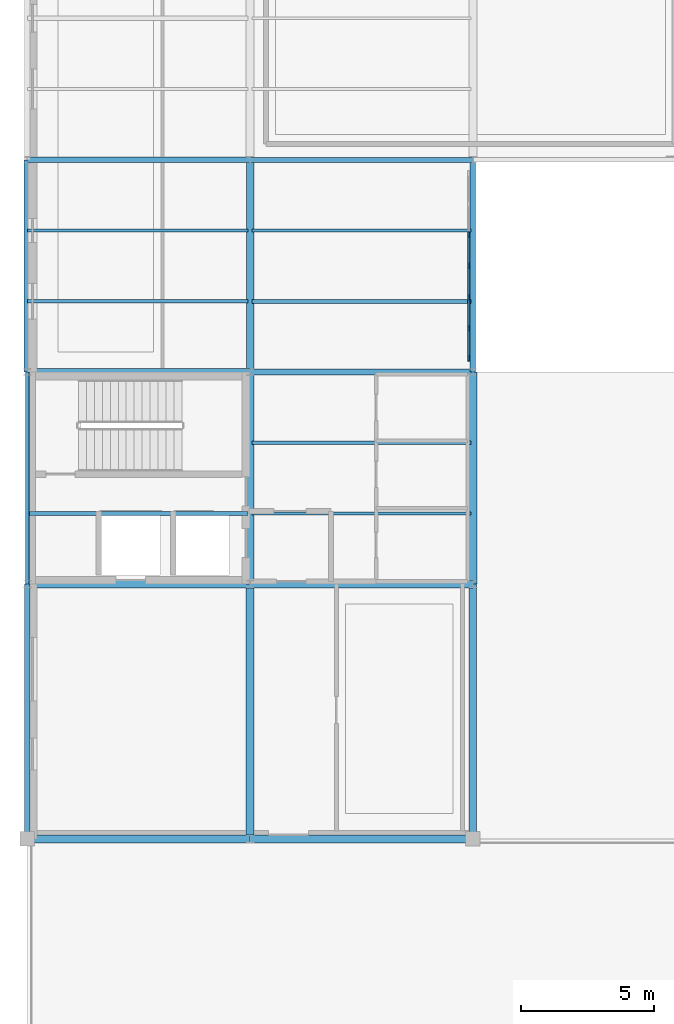
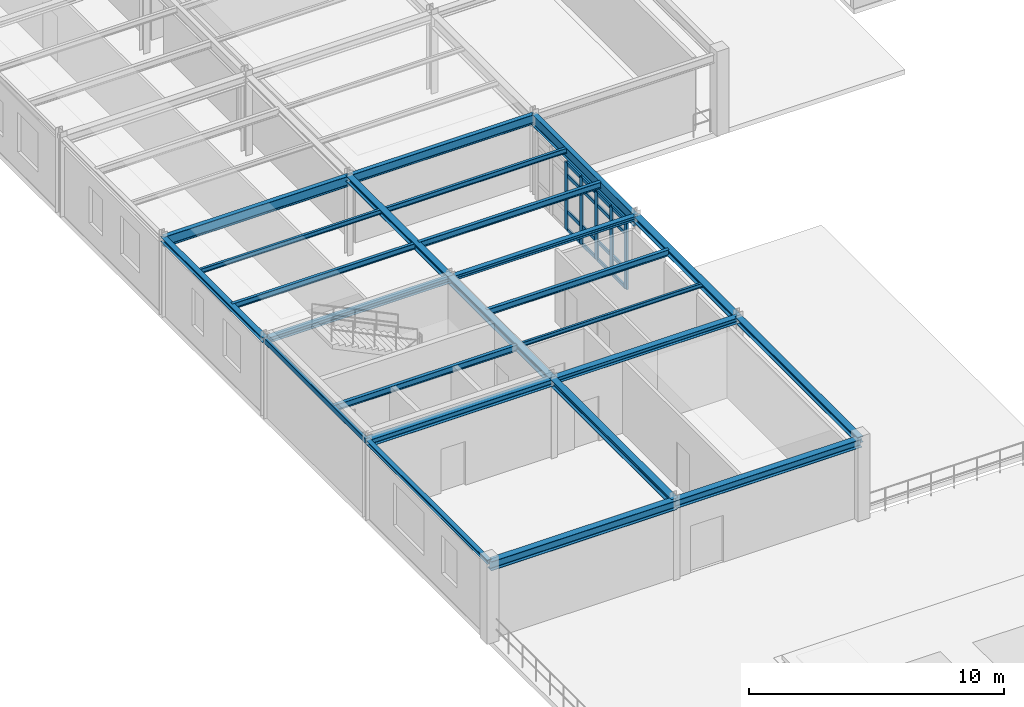
# One storey, part 18 of 70: 24 beams, 21 members, 1 element without a shape of its own.
"""IFC4 building model written with IfcOpenShell, lengths in metres."""

import ifcopenshell
import ifcopenshell.guid

model = None  # the IFC model being written
_history = None  # IfcOwnerHistory: only IFC2X3 demands one
_inside = {}  # id of a spatial element -> (the spatial element, [elements in it])
_under = {}  # id of a project, library or spatial element -> (it, [spatial elements below it])
_declared = {}  # id of a project -> (the project, [libraries it declares])
_typed = {}  # id of a type object -> (the type object, [elements of that type])
_made_of = {}  # id of a material, layer set ... -> (it, [elements and type objects made of it])


def new_model(schema):
    """Start an empty IFC model of exactly this schema.

    Asked for "IFC4X3", IfcOpenShell would pick the latest addendum, in which some entities
    have other attributes; the version numbers below select the first issue.
    IFC2X3 requires an IfcOwnerHistory on every rooted entity: one is made here for all.
    """
    global model, _history
    if schema == "IFC4X3":
        model = ifcopenshell.file(schema_version=(4, 3, 0, 0))
    else:
        model = ifcopenshell.file(schema=schema)
    _inside.clear()
    _under.clear()
    _declared.clear()
    _typed.clear()
    _made_of.clear()
    _history = None
    if model.schema == "IFC2X3":
        org = make("IfcOrganization", Name="unknown")
        user = make(
            "IfcPersonAndOrganization",
            ThePerson=make("IfcPerson", FamilyName="unknown"),
            TheOrganization=org,
        )
        app = make(
            "IfcApplication",
            ApplicationDeveloper=org,
            Version="unknown",
            ApplicationFullName="unknown",
            ApplicationIdentifier="unknown",
        )
        _history = make(
            "IfcOwnerHistory",
            OwningUser=user,
            OwningApplication=app,
            ChangeAction="ADDED",
            CreationDate=0,
        )
    return model


def make(cls, **values):
    """One entity of the class cls with the attributes given. An attribute that is None is left unset."""
    return model.create_entity(
        cls, **{name: value for name, value in values.items() if value is not None}
    )


def rooted(cls, **values):
    """An entity with a GlobalId (a new one), such as an element, a storey or a relation."""
    return make(cls, GlobalId=ifcopenshell.guid.new(), OwnerHistory=_history, **values)


def si_unit(unit_type, name, prefix=None):
    """IfcSIUnit, for example si_unit("LENGTHUNIT", "METRE", prefix="MILLI")."""
    return make("IfcSIUnit", UnitType=unit_type, Prefix=prefix, Name=name)


def derived_unit(unit_type, elements):
    """IfcDerivedUnit: a product of units, each with its exponent."""
    return make(
        "IfcDerivedUnit",
        Elements=[
            make("IfcDerivedUnitElement", Unit=unit, Exponent=power)
            for unit, power in elements
        ],
        UnitType=unit_type,
    )


def assignment(units):
    """IfcUnitAssignment: the units of a project."""
    return None if units is None else make("IfcUnitAssignment", Units=units)


def point(xyz):
    """IfcCartesianPoint."""
    return None if xyz is None else make("IfcCartesianPoint", Coordinates=xyz)


def direction(xyz):
    """IfcDirection."""
    return None if xyz is None else make("IfcDirection", DirectionRatios=xyz)


def frame(location, z_axis=None, x_axis=None):
    """IfcAxis2Placement3D, a coordinate frame: its origin and axes. An axis left out is left unset."""
    return make(
        "IfcAxis2Placement3D",
        Location=point(location),
        Axis=direction(z_axis),
        RefDirection=direction(x_axis),
    )


def frame_2d(location, x_axis=None):
    """IfcAxis2Placement2D, a coordinate frame in the plane: its origin and x axis."""
    return make(
        "IfcAxis2Placement2D", Location=point(location), RefDirection=direction(x_axis)
    )


def origin():
    """The frame at (0, 0, 0) with its axes left unset."""
    return frame((0.0, 0.0, 0.0))


def origin_2d():
    """The frame at (0, 0) in the plane with its x axis left unset."""
    return frame_2d((0.0, 0.0))


def place(relative_to, where):
    """IfcLocalPlacement: puts the frame where relative to a parent placement (None: the world)."""
    return make(
        "IfcLocalPlacement", PlacementRelTo=relative_to, RelativePlacement=where
    )


def context(
    kind, dimensions, precision=None, world=None, true_north=None, identifier=None
):
    """IfcGeometricRepresentationContext, for example the 3D "Model" context."""
    return make(
        "IfcGeometricRepresentationContext",
        ContextIdentifier=identifier,
        ContextType=kind,
        CoordinateSpaceDimension=dimensions,
        Precision=precision,
        WorldCoordinateSystem=world,
        TrueNorth=true_north,
    )


def subcontext(parent, identifier, kind, view, scale=None):
    """IfcGeometricRepresentationSubContext, for example "Body" below "Model"."""
    return make(
        "IfcGeometricRepresentationSubContext",
        ContextIdentifier=identifier,
        ContextType=kind,
        ParentContext=parent,
        TargetScale=scale,
        TargetView=view,
    )


def project(units=None, contexts=None):
    """IfcProject with its units and contexts."""
    return rooted(
        "IfcProject",
        Name="project",
        RepresentationContexts=contexts,
        UnitsInContext=assignment(units),
    )


def spatial(cls, under=None, at=None, **own):
    """A site, building, storey or space (cls), placed at a placement, below another one or the project."""
    s = rooted(cls, ObjectPlacement=at, **own)
    if under is not None:
        _under.setdefault(under.id(), (under, []))[1].append(s)
    return s


def profile(cls, at=None, kind="AREA", **sizes):
    """A parametric profile (cls). Its sizes go by their IFC names, for example OverallWidth=200.0."""
    return make(cls, ProfileType=kind, Position=at, **sizes)


def rectangle(**sizes):
    """IfcRectangleProfileDef."""
    return profile("IfcRectangleProfileDef", **sizes)


def hollow_rectangle(**sizes):
    """IfcRectangleHollowProfileDef."""
    return profile("IfcRectangleHollowProfileDef", **sizes)


def i_section(**sizes):
    """IfcIShapeProfileDef."""
    return profile("IfcIShapeProfileDef", **sizes)


def extrude(swept, where, along, depth):
    """IfcExtrudedAreaSolid: the profile swept, set in the frame where, extruded along a direction by depth."""
    return make(
        "IfcExtrudedAreaSolid",
        SweptArea=swept,
        Position=where,
        ExtrudedDirection=direction(along),
        Depth=depth,
    )


def shape(context_of_items, identifier, shape_type, items):
    """IfcShapeRepresentation: the items that make up one representation, for example the "Body"."""
    return make(
        "IfcShapeRepresentation",
        ContextOfItems=context_of_items,
        RepresentationIdentifier=identifier,
        RepresentationType=shape_type,
        Items=items,
    )


def material(Name=None, Category=None):
    """IfcMaterial."""
    return make("IfcMaterial", Name=Name, Category=Category)


def layer(
    of_material, thickness, ventilated=None, Name=None, Category=None, Priority=None
):
    """IfcMaterialLayer: one layer of a wall or slab, of a material (None: an air gap)."""
    return make(
        "IfcMaterialLayer",
        Material=of_material,
        LayerThickness=thickness,
        IsVentilated=ventilated,
        Name=Name,
        Category=Category,
        Priority=Priority,
    )


def layer_set(layers, Name=None):
    """IfcMaterialLayerSet."""
    return make("IfcMaterialLayerSet", MaterialLayers=layers, LayerSetName=Name)


def material_profile(
    of_material, cross_section, Name=None, Category=None, Priority=None
):
    """IfcMaterialProfile: a cross section and its material."""
    return make(
        "IfcMaterialProfile",
        Name=Name,
        Material=of_material,
        Profile=cross_section,
        Priority=Priority,
        Category=Category,
    )


def profile_set(profiles, Name=None, composite=None):
    """IfcMaterialProfileSet."""
    return make(
        "IfcMaterialProfileSet",
        Name=Name,
        MaterialProfiles=profiles,
        CompositeProfile=composite,
    )


def made_of(thing, what):
    """Note that an element or type object is made of a material, layer set ...; save() writes the relation."""
    if what is not None:
        _made_of.setdefault(what.id(), (what, []))[1].append(thing)
    return thing


def type_object(cls, material=None, **own):
    """A type object (cls), such as IfcWallType, which elements share."""
    return made_of(rooted(cls, **own), material)


def element(
    cls,
    number,
    at=None,
    inside=None,
    cuts=None,
    type_object=None,
    material=None,
    context=None,
    identifier="Body",
    shape_type=None,
    held_by="IfcProductDefinitionShape",
    body=None,
    shapes=None,
    **own,
):
    """One element of the class cls, such as IfcWall. Its Tag is "e" and its number.

    at: its placement. inside: the storey or other place that contains it. cuts: it is an
    opening in that element (IfcRelVoidsElement). A single representation is given by context,
    identifier, shape_type and body (its items); several are given by shapes. held_by: the class
    of the entity that holds the representations. save() writes the other relations.
    """
    e = rooted(cls, Tag="e%d" % number, ObjectPlacement=at, **own)
    if body is not None:
        shapes = [shape(context, identifier, shape_type, body)]
    if shapes is not None:
        e.Representation = make(held_by, Representations=shapes)
    if inside is not None:
        _inside.setdefault(inside.id(), (inside, []))[1].append(e)
    if cuts is not None:
        rooted(
            "IfcRelVoidsElement", RelatingBuildingElement=cuts, RelatedOpeningElement=e
        )
    if type_object is not None:
        _typed.setdefault(type_object.id(), (type_object, []))[1].append(e)
    return made_of(e, material)


def aggregate(whole, parts):
    """IfcRelAggregates: a whole, such as a stair, and the parts it consists of."""
    return rooted("IfcRelAggregates", RelatingObject=whole, RelatedObjects=parts)


def save(model, path):
    """Write the relations noted so far, then the file.

    IfcRelAggregates (storeys below a building ...), IfcRelContainedInSpatialStructure (elements
    in a storey), IfcRelDefinesByType, IfcRelAssociatesMaterial and IfcRelDeclares: one each for
    every whole, place, type object, material and project.
    """
    for whole, parts in _under.values():
        aggregate(whole, parts)
    for where, things in _inside.values():
        rooted(
            "IfcRelContainedInSpatialStructure",
            RelatedElements=things,
            RelatingStructure=where,
        )
    for kind, things in _typed.values():
        rooted("IfcRelDefinesByType", RelatedObjects=things, RelatingType=kind)
    for what, things in _made_of.values():
        rooted("IfcRelAssociatesMaterial", RelatedObjects=things, RelatingMaterial=what)
    for by, libraries in _declared.values():
        rooted("IfcRelDeclares", RelatingContext=by, RelatedDefinitions=libraries)
    model.write(path)


model = new_model("IFC4")

# Units and contexts
model_context = context("Model", 3, precision=1e-05, world=origin(), true_north=direction((0.0, 1.0)))
body_context = subcontext(model_context, "Body", "Model", "MODEL_VIEW")
ifc_project = project(units=[si_unit("LENGTHUNIT", "METRE"), si_unit("AREAUNIT", "SQUARE_METRE"), si_unit("VOLUMEUNIT", "CUBIC_METRE"), si_unit("PLANEANGLEUNIT", "RADIAN"), si_unit("MASSUNIT", "GRAM", prefix="KILO"), derived_unit("THERMALTRANSMITTANCEUNIT", [(si_unit("POWERUNIT", "WATT"), 1), (si_unit("AREAUNIT", "SQUARE_METRE"), -1), (si_unit("THERMODYNAMICTEMPERATUREUNIT", "KELVIN"), -1)])], contexts=[model_context])

# Site, building, storey
site_placement = place(None, origin())
site = spatial("IfcSite", under=ifc_project, at=site_placement, CompositionType="ELEMENT")
building_placement = place(site_placement, origin())
building = spatial("IfcBuilding", under=site, at=building_placement, Name="Yasenodar Specialist Clinic", CompositionType="ELEMENT")
storey_placement = place(building_placement, frame((0.0, 0.0, 13.199951171875)))
storey = spatial("IfcBuildingStorey", under=building, at=storey_placement, Name="L03", CompositionType="ELEMENT", Elevation=13.199951171875)

# Beams
ifc_material_1 = material(Name="Steel S355", Category="steel")
ifc_material_profile_1 = material_profile(ifc_material_1, i_section(OverallWidth=0.219970703125, OverallDepth=0.2099609375, WebThickness=0.007080078125, FlangeThickness=0.010986328125, FilletRadius=0.01806640625, at=origin_2d()), Name="HEA 220")
ifc_profile_set_1 = profile_set([ifc_material_profile_1], Name="Steel S355")
beam_type_1 = type_object("IfcBeamType", Name="BM-HEA220", PredefinedType="BEAM", material=ifc_profile_set_1)
beam_1_placement = place(storey_placement, frame((8.39990234375, 42.800048828125, 3.695068359375), z_axis=(1.0, 0.0, 0.0), x_axis=(0.0, 1.0, 0.0)))
element("IfcBeam", 1, at=beam_1_placement, inside=storey, type_object=beam_type_1, Name="L03 Primary E-W Girder", PredefinedType="BEAM", context=body_context, shape_type="SweptSolid", body=[
    extrude(i_section(OverallWidth=0.219970703125, OverallDepth=0.2099609375, WebThickness=0.007080078125, FlangeThickness=0.010986328125, FilletRadius=0.01806640625, at=origin_2d()), origin(), (0.0, 0.0, 1.0), 8.400146484375),
])
ifc_material_profile_2 = material_profile(ifc_material_1, i_section(OverallWidth=0.260009765625, OverallDepth=0.25, WebThickness=0.007568359375, FlangeThickness=0.012451171875, FilletRadius=0.02392578125, at=origin_2d()), Name="HEA 260")
ifc_profile_set_2 = profile_set([ifc_material_profile_2], Name="Steel S355")
beam_type_2 = type_object("IfcBeamType", Name="BM-HEA260", PredefinedType="BEAM", material=ifc_profile_set_2)
beam_2_placement = place(storey_placement, frame((0.0, 42.800048828125, 3.675048828125), z_axis=(1.0, 0.0, 0.0), x_axis=(0.0, 1.0, 0.0)))
element("IfcBeam", 2, at=beam_2_placement, inside=storey, type_object=beam_type_2, Name="L03 Primary E-W Girder", PredefinedType="BEAM", context=body_context, shape_type="SweptSolid", body=[
    extrude(i_section(OverallWidth=0.260009765625, OverallDepth=0.25, WebThickness=0.007568359375, FlangeThickness=0.012451171875, FilletRadius=0.02392578125, at=origin_2d()), origin(), (0.0, 0.0, 1.0), 8.39990234375),
])
ifc_material_profile_3 = material_profile(ifc_material_1, i_section(OverallWidth=0.280029296875, OverallDepth=0.27001953125, WebThickness=0.008056640625, FlangeThickness=0.012939453125, FilletRadius=0.02392578125, at=origin_2d()), Name="HEA 280")
ifc_profile_set_3 = profile_set([ifc_material_profile_3], Name="Steel S355")
beam_type_3 = type_object("IfcBeamType", Name="BM-HEA280", PredefinedType="BEAM", material=ifc_profile_set_3)
beam_3_placement = place(storey_placement, frame((8.39990234375, 34.800048828125, 3.6650390625), z_axis=(1.0, 0.0, 0.0), x_axis=(0.0, 1.0, 0.0)))
element("IfcBeam", 3, at=beam_3_placement, inside=storey, type_object=beam_type_3, Name="L03 Primary E-W Girder", PredefinedType="BEAM", context=body_context, shape_type="SweptSolid", body=[
    extrude(i_section(OverallWidth=0.280029296875, OverallDepth=0.27001953125, WebThickness=0.008056640625, FlangeThickness=0.012939453125, FilletRadius=0.02392578125, at=origin_2d()), origin(), (0.0, 0.0, 1.0), 8.400146484375),
])
ifc_material_profile_4 = material_profile(ifc_material_1, i_section(OverallWidth=0.300048828125, OverallDepth=0.2900390625, WebThickness=0.008544921875, FlangeThickness=0.013916015625, FilletRadius=0.027099609375, at=origin_2d()), Name="HEA 300")
ifc_profile_set_4 = profile_set([ifc_material_profile_4], Name="Steel S355")
beam_type_4 = type_object("IfcBeamType", Name="BM-HEA300", PredefinedType="BEAM", material=ifc_profile_set_4)
beam_4_placement = place(storey_placement, frame((16.800048828125, 34.800048828125, 3.655029296875), z_axis=(0.0, 1.0, 0.0), x_axis=(-1.0, 0.0, 0.0)))
element("IfcBeam", 4, at=beam_4_placement, inside=storey, type_object=beam_type_4, Name="L03 Primary N-S Girder", PredefinedType="BEAM", context=body_context, shape_type="SweptSolid", body=[
    extrude(i_section(OverallWidth=0.300048828125, OverallDepth=0.2900390625, WebThickness=0.008544921875, FlangeThickness=0.013916015625, FilletRadius=0.027099609375, at=origin_2d()), origin(), (0.0, 0.0, 1.0), 8.0),
])
ifc_material_profile_5 = material_profile(ifc_material_1, i_section(OverallWidth=0.300048828125, OverallDepth=0.330078125, WebThickness=0.009521484375, FlangeThickness=0.0166015625, FilletRadius=0.027099609375, at=origin_2d()), Name="HEA 340")
ifc_profile_set_5 = profile_set([ifc_material_profile_5], Name="Steel S355")
beam_type_5 = type_object("IfcBeamType", Name="BM-HEA340", PredefinedType="BEAM", material=ifc_profile_set_5)
beam_5_placement = place(storey_placement, frame((0.0, 34.800048828125, 3.635009765625), z_axis=(1.0, 0.0, 0.0), x_axis=(0.0, 1.0, 0.0)))
element("IfcBeam", 5, at=beam_5_placement, inside=storey, type_object=beam_type_5, Name="L03 Primary E-W Girder", PredefinedType="BEAM", context=body_context, shape_type="SweptSolid", body=[
    extrude(i_section(OverallWidth=0.300048828125, OverallDepth=0.330078125, WebThickness=0.009521484375, FlangeThickness=0.0166015625, FilletRadius=0.027099609375, at=origin_2d()), origin(), (0.0, 0.0, 1.0), 8.39990234375),
])
ifc_material_profile_6 = material_profile(ifc_material_1, i_section(OverallWidth=0.300048828125, OverallDepth=0.389892578125, WebThickness=0.010986328125, FlangeThickness=0.01904296875, FilletRadius=0.027099609375, at=origin_2d()), Name="HEA 400")
ifc_profile_set_6 = profile_set([ifc_material_profile_6], Name="Steel S355")
beam_type_6 = type_object("IfcBeamType", Name="BM-HEA400", PredefinedType="BEAM", material=ifc_profile_set_6)
beam_6_placement = place(storey_placement, frame((8.39990234375, 25.199951171875, 3.60498046875), z_axis=(1.0, 0.0, 0.0), x_axis=(0.0, 1.0, 0.0)))
element("IfcBeam", 6, at=beam_6_placement, inside=storey, type_object=beam_type_6, Name="L03 Primary E-W Girder", PredefinedType="BEAM", context=body_context, shape_type="SweptSolid", body=[
    extrude(i_section(OverallWidth=0.300048828125, OverallDepth=0.389892578125, WebThickness=0.010986328125, FlangeThickness=0.01904296875, FilletRadius=0.027099609375, at=origin_2d()), origin(), (0.0, 0.0, 1.0), 8.400146484375),
])
ifc_material_profile_7 = material_profile(ifc_material_1, i_section(OverallWidth=0.300048828125, OverallDepth=0.43994140625, WebThickness=0.011474609375, FlangeThickness=0.02099609375, FilletRadius=0.027099609375, at=origin_2d()), Name="HEA 450")
ifc_profile_set_7 = profile_set([ifc_material_profile_7], Name="Steel S355")
beam_type_7 = type_object("IfcBeamType", Name="BM-HEA450", PredefinedType="BEAM", material=ifc_profile_set_7)
beam_7_placement = place(storey_placement, frame((0.0, 25.199951171875, 3.580078125), z_axis=(1.0, 0.0, 0.0), x_axis=(0.0, 1.0, 0.0)))
element("IfcBeam", 7, at=beam_7_placement, inside=storey, type_object=beam_type_7, Name="L03 Primary E-W Girder", PredefinedType="BEAM", context=body_context, shape_type="SweptSolid", body=[
    extrude(i_section(OverallWidth=0.300048828125, OverallDepth=0.43994140625, WebThickness=0.011474609375, FlangeThickness=0.02099609375, FilletRadius=0.027099609375, at=origin_2d()), origin(), (0.0, 0.0, 1.0), 8.39990234375),
])
ifc_material_profile_8 = material_profile(ifc_material_1, i_section(OverallWidth=0.280029296875, OverallDepth=0.280029296875, WebThickness=0.010498046875, FlangeThickness=0.01806640625, FilletRadius=0.02392578125, at=origin_2d()), Name="HEB 280")
ifc_profile_set_8 = profile_set([ifc_material_profile_8], Name="Steel S355")
beam_type_8 = type_object("IfcBeamType", Name="BM-HEB280", PredefinedType="BEAM", material=ifc_profile_set_8)
beam_8_placement = place(storey_placement, frame((8.39990234375, 42.800048828125, 3.66015625), z_axis=(0.0, 1.0, 0.0), x_axis=(-1.0, 0.0, 0.0)))
element("IfcBeam", 8, at=beam_8_placement, inside=storey, type_object=beam_type_8, Name="L03 Primary N-S Girder", PredefinedType="BEAM", context=body_context, shape_type="SweptSolid", body=[
    extrude(i_section(OverallWidth=0.280029296875, OverallDepth=0.280029296875, WebThickness=0.010498046875, FlangeThickness=0.01806640625, FilletRadius=0.02392578125, at=origin_2d()), origin(), (0.0, 0.0, 1.0), 8.0),
])
beam_9_placement = place(storey_placement, frame((16.800048828125, 25.199951171875, 3.66015625), z_axis=(0.0, 1.0, 0.0), x_axis=(-1.0, 0.0, 0.0)))
element("IfcBeam", 9, at=beam_9_placement, inside=storey, type_object=beam_type_8, Name="L03 Primary N-S Girder", PredefinedType="BEAM", context=body_context, shape_type="SweptSolid", body=[
    extrude(i_section(OverallWidth=0.280029296875, OverallDepth=0.280029296875, WebThickness=0.010498046875, FlangeThickness=0.01806640625, FilletRadius=0.02392578125, at=origin_2d()), origin(), (0.0, 0.0, 1.0), 9.60009765625),
])
ifc_material_profile_9 = material_profile(ifc_material_1, i_section(OverallWidth=0.300048828125, OverallDepth=0.300048828125, WebThickness=0.010986328125, FlangeThickness=0.01904296875, FilletRadius=0.027099609375, at=origin_2d()), Name="HEB 300")
ifc_profile_set_9 = profile_set([ifc_material_profile_9], Name="Steel S355")
beam_type_9 = type_object("IfcBeamType", Name="BM-HEB300", PredefinedType="BEAM", material=ifc_profile_set_9)
beam_10_placement = place(storey_placement, frame((8.39990234375, 34.800048828125, 3.650146484375), z_axis=(0.0, 1.0, 0.0), x_axis=(-1.0, 0.0, 0.0)))
element("IfcBeam", 10, at=beam_10_placement, inside=storey, type_object=beam_type_9, Name="L03 Primary N-S Girder", PredefinedType="BEAM", context=body_context, shape_type="SweptSolid", body=[
    extrude(i_section(OverallWidth=0.300048828125, OverallDepth=0.300048828125, WebThickness=0.010986328125, FlangeThickness=0.01904296875, FilletRadius=0.027099609375, at=origin_2d()), origin(), (0.0, 0.0, 1.0), 8.0),
])
ifc_material_profile_10 = material_profile(ifc_material_1, i_section(OverallWidth=0.300048828125, OverallDepth=0.340087890625, WebThickness=0.011962890625, FlangeThickness=0.021484375, FilletRadius=0.027099609375, at=origin_2d()), Name="HEB 340")
ifc_profile_set_10 = profile_set([ifc_material_profile_10], Name="Steel S355")
beam_type_10 = type_object("IfcBeamType", Name="BM-HEB340", PredefinedType="BEAM", material=ifc_profile_set_10)
beam_11_placement = place(storey_placement, frame((8.39990234375, 25.199951171875, 3.630126953125), z_axis=(0.0, 1.0, 0.0), x_axis=(-1.0, 0.0, 0.0)))
element("IfcBeam", 11, at=beam_11_placement, inside=storey, type_object=beam_type_10, Name="L03 Primary N-S Girder", PredefinedType="BEAM", context=body_context, shape_type="SweptSolid", body=[
    extrude(i_section(OverallWidth=0.300048828125, OverallDepth=0.340087890625, WebThickness=0.011962890625, FlangeThickness=0.021484375, FilletRadius=0.027099609375, at=origin_2d()), origin(), (0.0, 0.0, 1.0), 9.60009765625),
])
ifc_material_profile_11 = material_profile(ifc_material_1, i_section(OverallWidth=0.18994140625, OverallDepth=0.449951171875, WebThickness=0.009521484375, FlangeThickness=0.0146484375, FilletRadius=0.02099609375, at=origin_2d()), Name="IPE 450")
ifc_profile_set_11 = profile_set([ifc_material_profile_11], Name="Steel S355")
beam_type_11 = type_object("IfcBeamType", Name="BM-IPE450", PredefinedType="BEAM", material=ifc_profile_set_11)
beam_12_placement = place(storey_placement, frame((8.39990234375, 50.800048828125, 3.574951171875), z_axis=(1.0, 0.0, 0.0), x_axis=(0.0, 1.0, 0.0)))
element("IfcBeam", 12, at=beam_12_placement, inside=storey, type_object=beam_type_11, Name="L03 Primary E-W Girder", PredefinedType="BEAM", context=body_context, shape_type="SweptSolid", body=[
    extrude(i_section(OverallWidth=0.18994140625, OverallDepth=0.449951171875, WebThickness=0.009521484375, FlangeThickness=0.0146484375, FilletRadius=0.02099609375, at=origin_2d()), origin(), (0.0, 0.0, 1.0), 8.400146484375),
])
ifc_material_profile_12 = material_profile(ifc_material_1, i_section(OverallWidth=0.199951171875, OverallDepth=0.5, WebThickness=0.01025390625, FlangeThickness=0.01611328125, FilletRadius=0.02099609375, at=origin_2d()), Name="IPE 500")
ifc_profile_set_12 = profile_set([ifc_material_profile_12], Name="Steel S355")
beam_type_12 = type_object("IfcBeamType", Name="BM-IPE500", PredefinedType="BEAM", material=ifc_profile_set_12)
beam_13_placement = place(storey_placement, frame((0.0, 50.800048828125, 3.550048828125), z_axis=(1.0, 0.0, 0.0), x_axis=(0.0, 1.0, 0.0)))
element("IfcBeam", 13, at=beam_13_placement, inside=storey, type_object=beam_type_12, Name="L03 Primary E-W Girder", PredefinedType="BEAM", context=body_context, shape_type="SweptSolid", body=[
    extrude(i_section(OverallWidth=0.199951171875, OverallDepth=0.5, WebThickness=0.01025390625, FlangeThickness=0.01611328125, FilletRadius=0.02099609375, at=origin_2d()), origin(), (0.0, 0.0, 1.0), 8.39990234375),
])
ifc_material_profile_13 = material_profile(ifc_material_1, i_section(OverallWidth=0.2099609375, OverallDepth=0.550048828125, WebThickness=0.010986328125, FlangeThickness=0.01708984375, FilletRadius=0.02392578125, at=origin_2d()), Name="IPE 550")
ifc_profile_set_13 = profile_set([ifc_material_profile_13], Name="Steel S355")
beam_type_13 = type_object("IfcBeamType", Name="BM-IPE550", PredefinedType="BEAM", material=ifc_profile_set_13)
beam_14_placement = place(storey_placement, frame((16.800048828125, 42.800048828125, 3.525146484375), z_axis=(0.0, 1.0, 0.0), x_axis=(-1.0, 0.0, 0.0)))
element("IfcBeam", 14, at=beam_14_placement, inside=storey, type_object=beam_type_13, Name="L03 Primary N-S Girder", PredefinedType="BEAM", context=body_context, shape_type="SweptSolid", body=[
    extrude(i_section(OverallWidth=0.2099609375, OverallDepth=0.550048828125, WebThickness=0.010986328125, FlangeThickness=0.01708984375, FilletRadius=0.02392578125, at=origin_2d()), origin(), (0.0, 0.0, 1.0), 8.0),
])

# Curtain wall, members
ifc_material_2 = material(Name="Bronze Anodized Aluminium and Triple Low-E Glass", Category="aluminium")
ifc_layer = layer(ifc_material_2, 0.202880859375)
ifc_layer_set = layer_set([ifc_layer], Name="Bronze Anodized Aluminium and Triple Low-E Glass")
curtain_wall_type = type_object("IfcCurtainWallType", Name="CW-SYS-04", PredefinedType="USERDEFINED", material=ifc_layer_set)
curtain_wall_placement = place(storey_placement, origin())
curtain_wall = element("IfcCurtainWall", 15, at=curtain_wall_placement, inside=storey, type_object=curtain_wall_type, Name="L03 Unitised Curtain Wall 135", ObjectType="UNITISED CURTAIN WALL", PredefinedType="USERDEFINED")
ifc_material_3 = material(Name="Bronze Anodized Aluminium", Category="aluminium")
ifc_material_profile_14 = material_profile(ifc_material_3, rectangle(XDim=0.074951171875, YDim=0.22509765625, at=origin_2d()), Name="CW-MULL 75x225")
ifc_profile_set_14 = profile_set([ifc_material_profile_14], Name="Bronze Anodized Aluminium")
member_type_1 = type_object("IfcMemberType", Name="CW-MULL-225", PredefinedType="MULLION", material=ifc_profile_set_14)
member_1_placement = place(storey_placement, frame((16.64990234375, 47.973388671875, 0.0), z_axis=(0.0, 0.0, 1.0), x_axis=(1.0, 0.0, 0.0)))
member_1 = element("IfcMember", 16, at=member_1_placement, type_object=member_type_1, Name="CW-04 mullion 3", PredefinedType="MULLION", context=body_context, shape_type="SweptSolid", body=[
    extrude(rectangle(XDim=0.074951171875, YDim=0.22509765625, at=origin_2d()), origin(), (0.0, 0.0, 1.0), 3.22802734375),
])
member_2_placement = place(storey_placement, frame((16.64990234375, 46.800048828125, 0.0), z_axis=(0.0, 0.0, 1.0), x_axis=(1.0, 0.0, 0.0)))
member_2 = element("IfcMember", 17, at=member_2_placement, type_object=member_type_1, Name="CW-04 mullion 4", PredefinedType="MULLION", context=body_context, shape_type="SweptSolid", body=[
    extrude(rectangle(XDim=0.074951171875, YDim=0.22509765625, at=origin_2d()), origin(), (0.0, 0.0, 1.0), 3.22802734375),
])
member_3_placement = place(storey_placement, frame((16.64990234375, 45.626708984375, 0.0), z_axis=(0.0, 0.0, 1.0), x_axis=(1.0, 0.0, 0.0)))
member_3 = element("IfcMember", 18, at=member_3_placement, type_object=member_type_1, Name="CW-04 mullion 5", PredefinedType="MULLION", context=body_context, shape_type="SweptSolid", body=[
    extrude(rectangle(XDim=0.074951171875, YDim=0.22509765625, at=origin_2d()), origin(), (0.0, 0.0, 1.0), 3.22802734375),
])
member_4_placement = place(storey_placement, frame((16.64990234375, 44.453369140625, 0.0), z_axis=(0.0, 0.0, 1.0), x_axis=(1.0, 0.0, 0.0)))
member_4 = element("IfcMember", 19, at=member_4_placement, type_object=member_type_1, Name="CW-04 mullion 6", PredefinedType="MULLION", context=body_context, shape_type="SweptSolid", body=[
    extrude(rectangle(XDim=0.074951171875, YDim=0.22509765625, at=origin_2d()), origin(), (0.0, 0.0, 1.0), 3.22802734375),
])
member_5_placement = place(storey_placement, frame((16.64990234375, 43.3173828125, 0.0), z_axis=(0.0, 0.0, 1.0), x_axis=(1.0, 0.0, 0.0)))
member_5 = element("IfcMember", 20, at=member_5_placement, type_object=member_type_1, Name="CW-04 mullion 7", PredefinedType="MULLION", context=body_context, shape_type="SweptSolid", body=[
    extrude(rectangle(XDim=0.074951171875, YDim=0.22509765625, at=origin_2d()), origin(), (0.0, 0.0, 1.0), 3.22802734375),
])
ifc_material_profile_15 = material_profile(ifc_material_3, rectangle(XDim=0.074951171875, YDim=0.175048828125, at=origin_2d()), Name="CW-TRAN 75x175")
ifc_profile_set_15 = profile_set([ifc_material_profile_15], Name="Bronze Anodized Aluminium")
member_type_2 = type_object("IfcMemberType", Name="CW-TRAN-175", PredefinedType="USERDEFINED", material=ifc_profile_set_15)
member_6_placement = place(storey_placement, frame((16.64990234375, 47.935791015625, 0.03759765625), z_axis=(0.0, -1.0, 0.0), x_axis=(1.0, 0.0, 0.0)))
member_6 = element("IfcMember", 21, at=member_6_placement, type_object=member_type_2, Name="CW-04 transom 3.1", ObjectType="TRANSOM", PredefinedType="USERDEFINED", context=body_context, shape_type="SweptSolid", body=[
    extrude(rectangle(XDim=0.074951171875, YDim=0.175048828125, at=origin_2d()), origin(), (0.0, 0.0, 1.0), 1.098388671875),
])
member_7_placement = place(storey_placement, frame((16.64990234375, 47.935791015625, 0.900146484375), z_axis=(0.0, -1.0, 0.0), x_axis=(1.0, 0.0, 0.0)))
member_7 = element("IfcMember", 22, at=member_7_placement, type_object=member_type_2, Name="CW-04 transom 3.2", ObjectType="TRANSOM", PredefinedType="USERDEFINED", context=body_context, shape_type="SweptSolid", body=[
    extrude(rectangle(XDim=0.074951171875, YDim=0.175048828125, at=origin_2d()), origin(), (0.0, 0.0, 1.0), 1.098388671875),
])
member_8_placement = place(storey_placement, frame((16.64990234375, 47.935791015625, 2.6279296875), z_axis=(0.0, -1.0, 0.0), x_axis=(1.0, 0.0, 0.0)))
member_8 = element("IfcMember", 23, at=member_8_placement, type_object=member_type_2, Name="CW-04 transom 3.3", ObjectType="TRANSOM", PredefinedType="USERDEFINED", context=body_context, shape_type="SweptSolid", body=[
    extrude(rectangle(XDim=0.074951171875, YDim=0.175048828125, at=origin_2d()), origin(), (0.0, 0.0, 1.0), 1.098388671875),
])
member_9_placement = place(storey_placement, frame((16.64990234375, 47.935791015625, 3.1904296875), z_axis=(0.0, -1.0, 0.0), x_axis=(1.0, 0.0, 0.0)))
member_9 = element("IfcMember", 24, at=member_9_placement, type_object=member_type_2, Name="CW-04 transom 3.4", ObjectType="TRANSOM", PredefinedType="USERDEFINED", context=body_context, shape_type="SweptSolid", body=[
    extrude(rectangle(XDim=0.074951171875, YDim=0.175048828125, at=origin_2d()), origin(), (0.0, 0.0, 1.0), 1.098388671875),
])
member_10_placement = place(storey_placement, frame((16.64990234375, 46.762451171875, 0.03759765625), z_axis=(0.0, -1.0, 0.0), x_axis=(1.0, 0.0, 0.0)))
member_10 = element("IfcMember", 25, at=member_10_placement, type_object=member_type_2, Name="CW-04 transom 4.1", ObjectType="TRANSOM", PredefinedType="USERDEFINED", context=body_context, shape_type="SweptSolid", body=[
    extrude(rectangle(XDim=0.074951171875, YDim=0.175048828125, at=origin_2d()), origin(), (0.0, 0.0, 1.0), 1.098388671875),
])
member_11_placement = place(storey_placement, frame((16.64990234375, 46.762451171875, 0.900146484375), z_axis=(0.0, -1.0, 0.0), x_axis=(1.0, 0.0, 0.0)))
member_11 = element("IfcMember", 26, at=member_11_placement, type_object=member_type_2, Name="CW-04 transom 4.2", ObjectType="TRANSOM", PredefinedType="USERDEFINED", context=body_context, shape_type="SweptSolid", body=[
    extrude(rectangle(XDim=0.074951171875, YDim=0.175048828125, at=origin_2d()), origin(), (0.0, 0.0, 1.0), 1.098388671875),
])
member_12_placement = place(storey_placement, frame((16.64990234375, 46.762451171875, 2.6279296875), z_axis=(0.0, -1.0, 0.0), x_axis=(1.0, 0.0, 0.0)))
member_12 = element("IfcMember", 27, at=member_12_placement, type_object=member_type_2, Name="CW-04 transom 4.3", ObjectType="TRANSOM", PredefinedType="USERDEFINED", context=body_context, shape_type="SweptSolid", body=[
    extrude(rectangle(XDim=0.074951171875, YDim=0.175048828125, at=origin_2d()), origin(), (0.0, 0.0, 1.0), 1.098388671875),
])
member_13_placement = place(storey_placement, frame((16.64990234375, 46.762451171875, 3.1904296875), z_axis=(0.0, -1.0, 0.0), x_axis=(1.0, 0.0, 0.0)))
member_13 = element("IfcMember", 28, at=member_13_placement, type_object=member_type_2, Name="CW-04 transom 4.4", ObjectType="TRANSOM", PredefinedType="USERDEFINED", context=body_context, shape_type="SweptSolid", body=[
    extrude(rectangle(XDim=0.074951171875, YDim=0.175048828125, at=origin_2d()), origin(), (0.0, 0.0, 1.0), 1.098388671875),
])
member_14_placement = place(storey_placement, frame((16.64990234375, 45.589111328125, 0.03759765625), z_axis=(0.0, -1.0, 0.0), x_axis=(1.0, 0.0, 0.0)))
member_14 = element("IfcMember", 29, at=member_14_placement, type_object=member_type_2, Name="CW-04 transom 5.1", ObjectType="TRANSOM", PredefinedType="USERDEFINED", context=body_context, shape_type="SweptSolid", body=[
    extrude(rectangle(XDim=0.074951171875, YDim=0.175048828125, at=origin_2d()), origin(), (0.0, 0.0, 1.0), 1.098388671875),
])
member_15_placement = place(storey_placement, frame((16.64990234375, 45.589111328125, 0.900146484375), z_axis=(0.0, -1.0, 0.0), x_axis=(1.0, 0.0, 0.0)))
member_15 = element("IfcMember", 30, at=member_15_placement, type_object=member_type_2, Name="CW-04 transom 5.2", ObjectType="TRANSOM", PredefinedType="USERDEFINED", context=body_context, shape_type="SweptSolid", body=[
    extrude(rectangle(XDim=0.074951171875, YDim=0.175048828125, at=origin_2d()), origin(), (0.0, 0.0, 1.0), 1.098388671875),
])
member_16_placement = place(storey_placement, frame((16.64990234375, 45.589111328125, 2.6279296875), z_axis=(0.0, -1.0, 0.0), x_axis=(1.0, 0.0, 0.0)))
member_16 = element("IfcMember", 31, at=member_16_placement, type_object=member_type_2, Name="CW-04 transom 5.3", ObjectType="TRANSOM", PredefinedType="USERDEFINED", context=body_context, shape_type="SweptSolid", body=[
    extrude(rectangle(XDim=0.074951171875, YDim=0.175048828125, at=origin_2d()), origin(), (0.0, 0.0, 1.0), 1.098388671875),
])
member_17_placement = place(storey_placement, frame((16.64990234375, 45.589111328125, 3.1904296875), z_axis=(0.0, -1.0, 0.0), x_axis=(1.0, 0.0, 0.0)))
member_17 = element("IfcMember", 32, at=member_17_placement, type_object=member_type_2, Name="CW-04 transom 5.4", ObjectType="TRANSOM", PredefinedType="USERDEFINED", context=body_context, shape_type="SweptSolid", body=[
    extrude(rectangle(XDim=0.074951171875, YDim=0.175048828125, at=origin_2d()), origin(), (0.0, 0.0, 1.0), 1.098388671875),
])
member_18_placement = place(storey_placement, frame((16.64990234375, 44.415771484375, 0.03759765625), z_axis=(0.0, -1.0, 0.0), x_axis=(1.0, 0.0, 0.0)))
member_18 = element("IfcMember", 33, at=member_18_placement, type_object=member_type_2, Name="CW-04 transom 6.1", ObjectType="TRANSOM", PredefinedType="USERDEFINED", context=body_context, shape_type="SweptSolid", body=[
    extrude(rectangle(XDim=0.074951171875, YDim=0.175048828125, at=origin_2d()), origin(), (0.0, 0.0, 1.0), 1.060791015625),
])
member_19_placement = place(storey_placement, frame((16.64990234375, 44.415771484375, 0.900146484375), z_axis=(0.0, -1.0, 0.0), x_axis=(1.0, 0.0, 0.0)))
member_19 = element("IfcMember", 34, at=member_19_placement, type_object=member_type_2, Name="CW-04 transom 6.2", ObjectType="TRANSOM", PredefinedType="USERDEFINED", context=body_context, shape_type="SweptSolid", body=[
    extrude(rectangle(XDim=0.074951171875, YDim=0.175048828125, at=origin_2d()), origin(), (0.0, 0.0, 1.0), 1.060791015625),
])
member_20_placement = place(storey_placement, frame((16.64990234375, 44.415771484375, 2.6279296875), z_axis=(0.0, -1.0, 0.0), x_axis=(1.0, 0.0, 0.0)))
member_20 = element("IfcMember", 35, at=member_20_placement, type_object=member_type_2, Name="CW-04 transom 6.3", ObjectType="TRANSOM", PredefinedType="USERDEFINED", context=body_context, shape_type="SweptSolid", body=[
    extrude(rectangle(XDim=0.074951171875, YDim=0.175048828125, at=origin_2d()), origin(), (0.0, 0.0, 1.0), 1.060791015625),
])
member_21_placement = place(storey_placement, frame((16.64990234375, 44.415771484375, 3.1904296875), z_axis=(0.0, -1.0, 0.0), x_axis=(1.0, 0.0, 0.0)))
member_21 = element("IfcMember", 36, at=member_21_placement, type_object=member_type_2, Name="CW-04 transom 6.4", ObjectType="TRANSOM", PredefinedType="USERDEFINED", context=body_context, shape_type="SweptSolid", body=[
    extrude(rectangle(XDim=0.074951171875, YDim=0.175048828125, at=origin_2d()), origin(), (0.0, 0.0, 1.0), 1.060791015625),
])
aggregate(curtain_wall, [member_1, member_2, member_3, member_4, member_5, member_6, member_7, member_8, member_9, member_10, member_11, member_12, member_13, member_14, member_15, member_16, member_17, member_18, member_19, member_20, member_21])

# Beams
ifc_material_profile_16 = material_profile(ifc_material_1, i_section(OverallWidth=0.10009765625, OverallDepth=0.199951171875, WebThickness=0.005615234375, FlangeThickness=0.008544921875, FilletRadius=0.011962890625, at=origin_2d()), Name="IPE 200")
ifc_profile_set_16 = profile_set([ifc_material_profile_16], Name="Steel S355")
beam_type_14 = type_object("IfcBeamType", Name="JS-IPE200", PredefinedType="JOIST", material=ifc_profile_set_16)
beam_15_placement = place(storey_placement, frame((8.47998046875, 37.466796875, 3.699951171875), z_axis=(1.0, 0.0, 0.0), x_axis=(0.0, 1.0, 0.0)))
element("IfcBeam", 37, at=beam_15_placement, inside=storey, type_object=beam_type_14, Name="L03 Composite Floor Joist", PredefinedType="JOIST", context=body_context, shape_type="SweptSolid", body=[
    extrude(i_section(OverallWidth=0.10009765625, OverallDepth=0.199951171875, WebThickness=0.005615234375, FlangeThickness=0.008544921875, FilletRadius=0.011962890625, at=origin_2d()), origin(), (0.0, 0.0, 1.0), 8.239990234375),
])
ifc_material_profile_17 = material_profile(ifc_material_1, i_section(OverallWidth=0.110107421875, OverallDepth=0.219970703125, WebThickness=0.005859375, FlangeThickness=0.00927734375, FilletRadius=0.011962890625, at=origin_2d()), Name="IPE 220")
ifc_profile_set_17 = profile_set([ifc_material_profile_17], Name="Steel S355")
beam_type_15 = type_object("IfcBeamType", Name="JS-IPE220", PredefinedType="JOIST", material=ifc_profile_set_17)
beam_16_placement = place(storey_placement, frame((0.014892578125, 48.13330078125, 3.68994140625), z_axis=(1.0, 0.0, 0.0), x_axis=(0.0, 1.0, 0.0)))
element("IfcBeam", 38, at=beam_16_placement, inside=storey, type_object=beam_type_15, Name="L03 Composite Floor Joist", PredefinedType="JOIST", context=body_context, shape_type="SweptSolid", body=[
    extrude(i_section(OverallWidth=0.110107421875, OverallDepth=0.219970703125, WebThickness=0.005859375, FlangeThickness=0.00927734375, FilletRadius=0.011962890625, at=origin_2d()), origin(), (0.0, 0.0, 1.0), 8.30517578125),
])
ifc_material_profile_18 = material_profile(ifc_material_1, i_section(OverallWidth=0.1201171875, OverallDepth=0.239990234375, WebThickness=0.006103515625, FlangeThickness=0.009765625, FilletRadius=0.014892578125, at=origin_2d()), Name="IPE 240")
ifc_profile_set_18 = profile_set([ifc_material_profile_18], Name="Steel S355")
beam_type_16 = type_object("IfcBeamType", Name="JS-IPE240", PredefinedType="JOIST", material=ifc_profile_set_18)
beam_17_placement = place(storey_placement, frame((8.47998046875, 48.13330078125, 3.679931640625), z_axis=(1.0, 0.0, 0.0), x_axis=(0.0, 1.0, 0.0)))
element("IfcBeam", 39, at=beam_17_placement, inside=storey, type_object=beam_type_16, Name="L03 Composite Floor Joist", PredefinedType="JOIST", context=body_context, shape_type="SweptSolid", body=[
    extrude(i_section(OverallWidth=0.1201171875, OverallDepth=0.239990234375, WebThickness=0.006103515625, FlangeThickness=0.009765625, FilletRadius=0.014892578125, at=origin_2d()), origin(), (0.0, 0.0, 1.0), 8.239990234375),
])
ifc_material_profile_19 = material_profile(ifc_material_1, i_section(OverallWidth=0.135009765625, OverallDepth=0.27001953125, WebThickness=0.006591796875, FlangeThickness=0.01025390625, FilletRadius=0.014892578125, at=origin_2d()), Name="IPE 270")
ifc_profile_set_19 = profile_set([ifc_material_profile_19], Name="Steel S355")
beam_type_17 = type_object("IfcBeamType", Name="JS-IPE270", PredefinedType="JOIST", material=ifc_profile_set_19)
beam_18_placement = place(storey_placement, frame((0.014892578125, 45.466796875, 3.6650390625), z_axis=(1.0, 0.0, 0.0), x_axis=(0.0, 1.0, 0.0)))
element("IfcBeam", 40, at=beam_18_placement, inside=storey, type_object=beam_type_17, Name="L03 Composite Floor Joist", PredefinedType="JOIST", context=body_context, shape_type="SweptSolid", body=[
    extrude(i_section(OverallWidth=0.135009765625, OverallDepth=0.27001953125, WebThickness=0.006591796875, FlangeThickness=0.01025390625, FilletRadius=0.014892578125, at=origin_2d()), origin(), (0.0, 0.0, 1.0), 8.30517578125),
])
ifc_material_profile_20 = material_profile(ifc_material_1, i_section(OverallWidth=0.14990234375, OverallDepth=0.300048828125, WebThickness=0.007080078125, FlangeThickness=0.0107421875, FilletRadius=0.014892578125, at=origin_2d()), Name="IPE 300")
ifc_profile_set_20 = profile_set([ifc_material_profile_20], Name="Steel S355")
beam_type_18 = type_object("IfcBeamType", Name="JS-IPE300", PredefinedType="JOIST", material=ifc_profile_set_20)
beam_19_placement = place(storey_placement, frame((0.014892578125, 37.466796875, 3.650146484375), z_axis=(1.0, 0.0, 0.0), x_axis=(0.0, 1.0, 0.0)))
element("IfcBeam", 41, at=beam_19_placement, inside=storey, type_object=beam_type_18, Name="L03 Composite Floor Joist", PredefinedType="JOIST", context=body_context, shape_type="SweptSolid", body=[
    extrude(i_section(OverallWidth=0.14990234375, OverallDepth=0.300048828125, WebThickness=0.007080078125, FlangeThickness=0.0107421875, FilletRadius=0.014892578125, at=origin_2d()), origin(), (0.0, 0.0, 1.0), 8.30517578125),
])
for number, where, z_axis, x_axis, name in (
    (42, (8.47998046875, 40.13330078125, 3.650146484375), (1.0, 0.0, 0.0), (0.0, 1.0, 0.0), "L03 Composite Floor Joist"),
    (43, (8.47998046875, 45.466796875, 3.650146484375), (1.0, 0.0, 0.0), (0.0, 1.0, 0.0), "L03 Composite Floor Joist"),
):
    element("IfcBeam", number, at=place(storey_placement, frame(where, z_axis=z_axis, x_axis=x_axis)), inside=storey, type_object=beam_type_18, Name=name, PredefinedType="JOIST", context=body_context, shape_type="SweptSolid", body=[
        extrude(i_section(OverallWidth=0.14990234375, OverallDepth=0.300048828125, WebThickness=0.007080078125, FlangeThickness=0.0107421875, FilletRadius=0.014892578125, at=origin_2d()), origin(), (0.0, 0.0, 1.0), 8.239990234375),
    ])
ifc_material_profile_21 = material_profile(ifc_material_1, i_section(OverallWidth=0.199951171875, OverallDepth=0.18994140625, WebThickness=0.006591796875, FlangeThickness=0.010009765625, FilletRadius=0.01806640625, at=origin_2d()), Name="HEA 200")
ifc_profile_set_21 = profile_set([ifc_material_profile_21], Name="Steel S355")
beam_type_19 = type_object("IfcBeamType", Name="SP-HEA200", PredefinedType="SPANDREL", material=ifc_profile_set_21)
beam_20_placement = place(storey_placement, frame((0.0, 25.199951171875, 3.705078125), z_axis=(0.0, 1.0, 0.0), x_axis=(-1.0, 0.0, 0.0)))
element("IfcBeam", 44, at=beam_20_placement, inside=storey, type_object=beam_type_19, Name="L03 Perimeter Spandrel Beam", PredefinedType="SPANDREL", context=body_context, shape_type="SweptSolid", body=[
    extrude(i_section(OverallWidth=0.199951171875, OverallDepth=0.18994140625, WebThickness=0.006591796875, FlangeThickness=0.010009765625, FilletRadius=0.01806640625, at=origin_2d()), origin(), (0.0, 0.0, 1.0), 9.60009765625),
])
ifc_material_profile_22 = material_profile(ifc_material_1, i_section(OverallWidth=0.239990234375, OverallDepth=0.22998046875, WebThickness=0.007568359375, FlangeThickness=0.011962890625, FilletRadius=0.02099609375, at=origin_2d()), Name="HEA 240")
ifc_profile_set_22 = profile_set([ifc_material_profile_22], Name="Steel S355")
beam_type_20 = type_object("IfcBeamType", Name="SP-HEA240", PredefinedType="SPANDREL", material=ifc_profile_set_22)
beam_21_placement = place(storey_placement, frame((0.0, 42.800048828125, 3.68505859375), z_axis=(0.0, 1.0, 0.0), x_axis=(-1.0, 0.0, 0.0)))
element("IfcBeam", 45, at=beam_21_placement, inside=storey, type_object=beam_type_20, Name="L03 Perimeter Spandrel Beam", PredefinedType="SPANDREL", context=body_context, shape_type="SweptSolid", body=[
    extrude(i_section(OverallWidth=0.239990234375, OverallDepth=0.22998046875, WebThickness=0.007568359375, FlangeThickness=0.011962890625, FilletRadius=0.02099609375, at=origin_2d()), origin(), (0.0, 0.0, 1.0), 8.0),
])
ifc_material_profile_23 = material_profile(ifc_material_1, hollow_rectangle(XDim=0.14990234375, YDim=0.25, WallThickness=0.010009765625, InnerFilletRadius=0.014892578125, OuterFilletRadius=0.02490234375, at=origin_2d()), Name="RHS 250x150x10")
ifc_profile_set_23 = profile_set([ifc_material_profile_23], Name="Steel S355")
beam_type_21 = type_object("IfcBeamType", Name="SP-RHS250", PredefinedType="SPANDREL", material=ifc_profile_set_23)
beam_22_placement = place(storey_placement, frame((0.0, 34.800048828125, 3.675048828125), z_axis=(0.0, 1.0, 0.0), x_axis=(-1.0, 0.0, 0.0)))
element("IfcBeam", 46, at=beam_22_placement, inside=storey, type_object=beam_type_21, Name="L03 Perimeter Spandrel Beam", PredefinedType="SPANDREL", context=body_context, shape_type="SweptSolid", body=[
    extrude(hollow_rectangle(XDim=0.14990234375, YDim=0.25, WallThickness=0.010009765625, InnerFilletRadius=0.014892578125, OuterFilletRadius=0.02490234375, at=origin_2d()), origin(), (0.0, 0.0, 1.0), 8.0),
])

save(model, "model.ifc")
